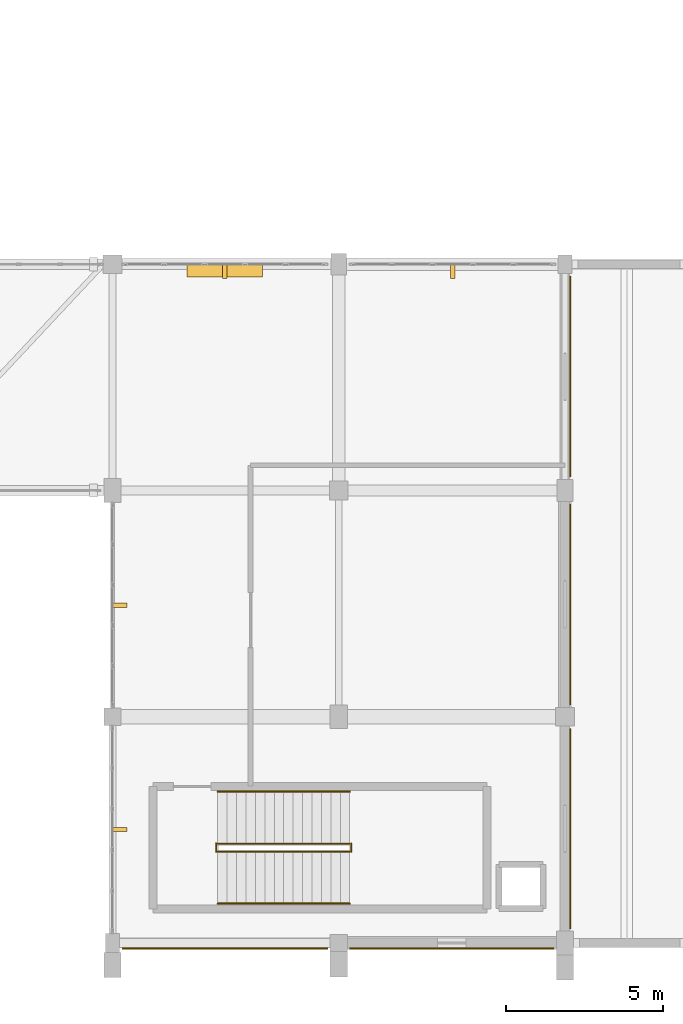
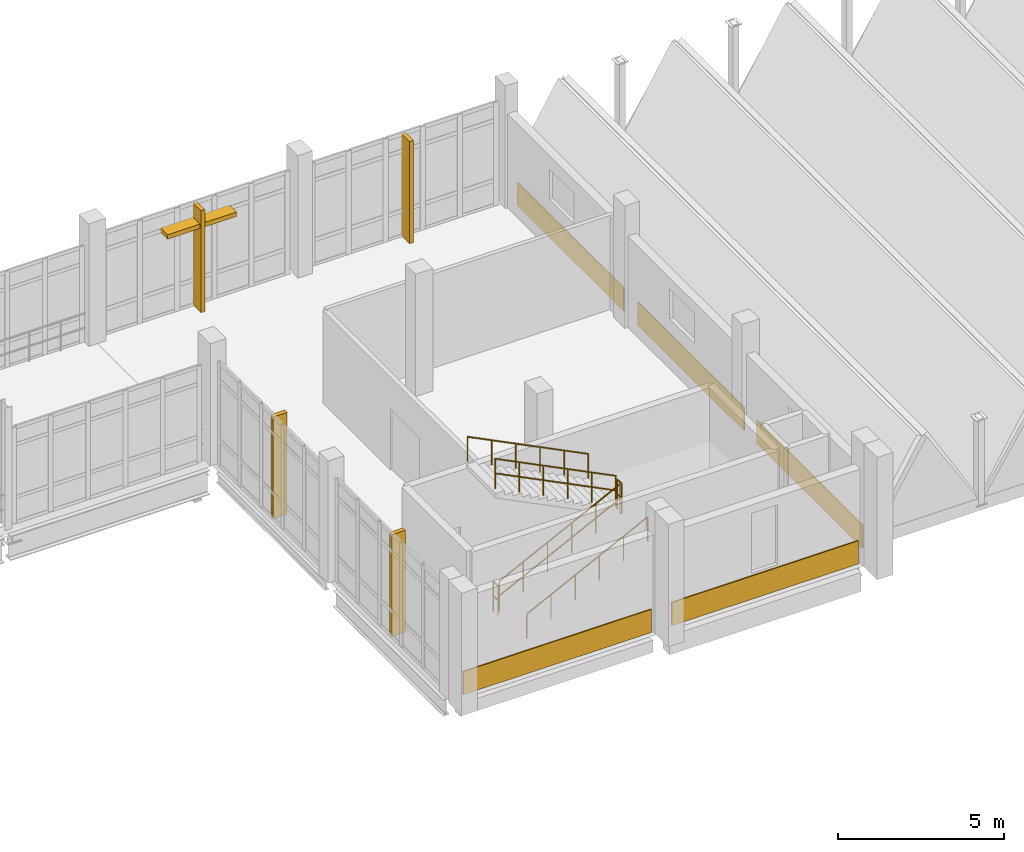
# One storey, part 118 of 124: 6 railings, 5 coverings, 5 shading devices.
"""IFC4 building model written with IfcOpenShell, lengths in metres."""

from ifc_helpers import new_model, si_unit, direction, frame, origin, origin_2d, place, context, subcontext, project, spatial, rectangle, circle, extrude, material, layer, layer_set, type_object, element, save


model = new_model("IFC4")

# Units and contexts
model_context = context("Model", 3, precision=1e-05, world=origin(), true_north=direction((0.0, 1.0)))
body_context = subcontext(model_context, "Body", "Model", "MODEL_VIEW")
ifc_project = project(units=[si_unit("LENGTHUNIT", "METRE"), si_unit("AREAUNIT", "SQUARE_METRE"), si_unit("VOLUMEUNIT", "CUBIC_METRE"), si_unit("PLANEANGLEUNIT", "RADIAN"), si_unit("MASSUNIT", "GRAM", prefix="KILO")], contexts=[model_context])

# Site, building, storey
site_placement = place(None, origin())
site = spatial("IfcSite", under=ifc_project, at=site_placement, CompositionType="ELEMENT")
building_placement = place(site_placement, origin())
building = spatial("IfcBuilding", under=site, at=building_placement, Name="Kalluvel Institute of Natural Sciences", CompositionType="ELEMENT")
storey_placement = place(building_placement, frame((0.0, 0.0, 9.89990234375)))
storey = spatial("IfcBuildingStorey", under=building, at=storey_placement, Name="L02", CompositionType="ELEMENT", Elevation=9.89990234375)

# Coverings
ifc_material_1 = material(Name="Sadarahalli Grey Granite Ashlar Concrete M40", Category="masonry")
ifc_layer = layer(ifc_material_1, 0.044921875)
ifc_layer_set = layer_set([ifc_layer], Name="Sadarahalli Grey Granite Ashlar Concrete M40")
covering_type = type_object("IfcCoveringType", Name="COV-CLAD-STONE", PredefinedType="CLADDING", material=ifc_layer_set)
covering_1_placement = place(storey_placement, frame((103.97509765625, 13.820068359375, 0.025146484375), z_axis=(0.0, 0.0, 1.0), x_axis=(1.0, 0.0, 0.0)))
element("IfcCovering", 1, at=covering_1_placement, inside=storey, type_object=covering_type, Name="L02 Sadarahalli granite plinth spandrel cladding 287", PredefinedType="CLADDING", context=body_context, shape_type="SweptSolid", body=[
    extrude(rectangle(XDim=6.5400390625, YDim=0.044921875, at=origin_2d()), origin(), (0.0, 0.0, 1.0), 0.85009765625),
])
covering_2_placement = place(storey_placement, frame((111.199951171875, 13.820068359375, 0.025146484375), z_axis=(0.0, 0.0, 1.0), x_axis=(1.0, 0.0, 0.0)))
element("IfcCovering", 2, at=covering_2_placement, inside=storey, type_object=covering_type, Name="L02 Sadarahalli granite plinth spandrel cladding 288", PredefinedType="CLADDING", context=body_context, shape_type="SweptSolid", body=[
    extrude(rectangle(XDim=6.489990234375, YDim=0.044921875, at=origin_2d()), origin(), (0.0, 0.0, 1.0), 0.85009765625),
])
covering_3_placement = place(storey_placement, frame((114.969970703125, 17.637451171875, 0.025146484375), z_axis=(0.0, 0.0, 1.0), x_axis=(0.0, 1.0, 0.0)))
element("IfcCovering", 3, at=covering_3_placement, inside=storey, type_object=covering_type, Name="L02 Sadarahalli granite plinth spandrel cladding 289", PredefinedType="CLADDING", context=body_context, shape_type="SweptSolid", body=[
    extrude(rectangle(XDim=6.364990234375, YDim=0.044921875, at=origin_2d()), origin(), (0.0, 0.0, 1.0), 0.85009765625),
])
for number, where, z_axis, x_axis, name in (
    (4, (114.969970703125, 24.77490234375, 0.025146484375), (0.0, 0.0, 1.0), (0.0, 1.0, 0.0), "L02 Sadarahalli granite plinth spandrel cladding 290"),
    (5, (114.969970703125, 32.02490234375, 0.025146484375), (0.0, 0.0, 1.0), (0.0, 1.0, 0.0), "L02 Sadarahalli granite plinth spandrel cladding 291"),
):
    element("IfcCovering", number, at=place(storey_placement, frame(where, z_axis=z_axis, x_axis=x_axis)), inside=storey, type_object=covering_type, Name=name, PredefinedType="CLADDING", context=body_context, shape_type="SweptSolid", body=[
        extrude(rectangle(XDim=6.389892578125, YDim=0.044921875, at=origin_2d()), origin(), (0.0, 0.0, 1.0), 0.85009765625),
    ])

# Railings
ifc_material_2 = material(Name="Galvanized Fire-Rated Steel", Category="steel")
railing_type_1 = type_object("IfcRailingType", Name="RL-GD-STAIR", PredefinedType="BALUSTRADE", material=ifc_material_2)
railing_1_placement = place(storey_placement, frame((103.75, 16.909912109375, 0.150146484375)))
element("IfcRailing", 6, at=railing_1_placement, inside=storey, type_object=railing_type_1, Name="L02 ST7 stair guard 1", PredefinedType="BALUSTRADE", context=body_context, shape_type="SweptSolid", body=[
    extrude(circle(Radius=0.02392578125, at=origin_2d()), frame((0.0, 0.0, 1.09619140625), z_axis=(0.894437589381, 0.0, 0.447192798132), x_axis=(0.0, 1.0, 0.0)), (0.0, 0.0, 1.0), 4.695556640625),
    extrude(circle(Radius=0.02392578125, at=origin_2d()), frame((0.0, 0.0, 0.56005859375), z_axis=(0.894437589381, 0.0, 0.447192798132), x_axis=(0.0, 1.0, 0.0)), (0.0, 0.0, 1.0), 4.695556640625),
    extrude(circle(Radius=0.02099609375, at=origin_2d()), origin(), (0.0, 0.0, 1.0), 1.072021484375),
    extrude(circle(Radius=0.02099609375, at=origin_2d()), frame((0.840087890625, 0.0, 0.419921875)), (0.0, 0.0, 1.0), 1.072021484375),
    extrude(circle(Radius=0.02099609375, at=origin_2d()), frame((1.679931640625, 0.0, 0.83984375)), (0.0, 0.0, 1.0), 1.072021484375),
    extrude(circle(Radius=0.02099609375, at=origin_2d()), frame((2.52001953125, 0.0, 1.260009765625)), (0.0, 0.0, 1.0), 1.072021484375),
    extrude(circle(Radius=0.02099609375, at=origin_2d()), frame((3.35986328125, 0.0, 1.679931640625)), (0.0, 0.0, 1.0), 1.072021484375),
    extrude(circle(Radius=0.02099609375, at=origin_2d()), frame((4.199951171875, 0.0, 2.099853515625)), (0.0, 0.0, 1.0), 1.072021484375),
])
railing_2_placement = place(storey_placement, frame((108.0, 16.89501953125, 2.25)))
element("IfcRailing", 7, at=railing_2_placement, inside=storey, type_object=railing_type_1, Name="L02 ST7 stair guard 2", PredefinedType="BALUSTRADE", context=body_context, shape_type="SweptSolid", body=[
    extrude(circle(Radius=0.02392578125, at=origin_2d()), frame((0.0, 0.0, 1.09619140625), z_axis=(0.0, 1.0, 0.0), x_axis=(-1.0, 0.0, 0.0)), (0.0, 0.0, 1.0), 0.280029296875),
    extrude(circle(Radius=0.02392578125, at=origin_2d()), frame((0.0, 0.0, 0.56005859375), z_axis=(0.0, 1.0, 0.0), x_axis=(-1.0, 0.0, 0.0)), (0.0, 0.0, 1.0), 0.280029296875),
    extrude(circle(Radius=0.02099609375, at=origin_2d()), origin(), (0.0, 0.0, 1.0), 1.072021484375),
    extrude(circle(Radius=0.02099609375, at=origin_2d()), frame((0.0, 0.280029296875, 0.0)), (0.0, 0.0, 1.0), 1.072021484375),
])
railing_3_placement = place(storey_placement, frame((107.949951171875, 17.159912109375, 2.400146484375)))
element("IfcRailing", 8, at=railing_3_placement, inside=storey, type_object=railing_type_1, Name="L02 ST7 stair guard 3", PredefinedType="BALUSTRADE", context=body_context, shape_type="SweptSolid", body=[
    extrude(circle(Radius=0.02392578125, at=origin_2d()), frame((0.0, 0.0, 1.09619140625), z_axis=(-0.894437589381, 0.0, 0.447192798132), x_axis=(0.0, -1.0, 0.0)), (0.0, 0.0, 1.0), 4.695556640625),
    extrude(circle(Radius=0.02392578125, at=origin_2d()), frame((0.0, 0.0, 0.56005859375), z_axis=(-0.894437589381, 0.0, 0.447192798132), x_axis=(0.0, -1.0, 0.0)), (0.0, 0.0, 1.0), 4.695556640625),
    extrude(circle(Radius=0.02099609375, at=origin_2d()), origin(), (0.0, 0.0, 1.0), 1.072021484375),
    extrude(circle(Radius=0.02099609375, at=origin_2d()), frame((-0.840087890625, 0.0, 0.419921875)), (0.0, 0.0, 1.0), 1.072021484375),
    extrude(circle(Radius=0.02099609375, at=origin_2d()), frame((-1.679931640625, 0.0, 0.83984375)), (0.0, 0.0, 1.0), 1.072021484375),
    extrude(circle(Radius=0.02099609375, at=origin_2d()), frame((-2.52001953125, 0.0, 1.260009765625)), (0.0, 0.0, 1.0), 1.072021484375),
    extrude(circle(Radius=0.02099609375, at=origin_2d()), frame((-3.35986328125, 0.0, 1.679931640625)), (0.0, 0.0, 1.0), 1.072021484375),
    extrude(circle(Radius=0.02099609375, at=origin_2d()), frame((-4.199951171875, 0.0, 2.099853515625)), (0.0, 0.0, 1.0), 1.072021484375),
])
railing_4_placement = place(storey_placement, frame((103.699951171875, 16.89501953125, 0.0)))
element("IfcRailing", 9, at=railing_4_placement, inside=storey, type_object=railing_type_1, Name="L02 ST7 stair guard 4", PredefinedType="BALUSTRADE", context=body_context, shape_type="SweptSolid", body=[
    extrude(circle(Radius=0.02392578125, at=origin_2d()), frame((0.0, 0.0, 1.09619140625), z_axis=(0.0, 1.0, 0.0), x_axis=(-1.0, 0.0, 0.0)), (0.0, 0.0, 1.0), 0.280029296875),
    extrude(circle(Radius=0.02392578125, at=origin_2d()), frame((0.0, 0.0, 0.56005859375), z_axis=(0.0, 1.0, 0.0), x_axis=(-1.0, 0.0, 0.0)), (0.0, 0.0, 1.0), 0.280029296875),
    extrude(circle(Radius=0.02099609375, at=origin_2d()), origin(), (0.0, 0.0, 1.0), 1.072021484375),
    extrude(circle(Radius=0.02099609375, at=origin_2d()), frame((0.0, 0.280029296875, 0.0)), (0.0, 0.0, 1.0), 1.072021484375),
])
railing_type_2 = type_object("IfcRailingType", Name="RL-HR-STAIR", PredefinedType="HANDRAIL", material=ifc_material_2)
railing_5_placement = place(storey_placement, frame((103.75, 15.25, 0.150146484375)))
element("IfcRailing", 10, at=railing_5_placement, inside=storey, type_object=railing_type_2, Name="L02 ST7 stair handrail 1", PredefinedType="HANDRAIL", context=body_context, shape_type="SweptSolid", body=[
    extrude(circle(Radius=0.02392578125, at=origin_2d()), frame((0.0, 0.0, 0.89599609375), z_axis=(0.894437589381, 0.0, 0.447192798132), x_axis=(0.0, 1.0, 0.0)), (0.0, 0.0, 1.0), 4.695556640625),
    extrude(circle(Radius=0.02099609375, at=origin_2d()), origin(), (0.0, 0.0, 1.0), 0.871826171875),
    extrude(circle(Radius=0.02099609375, at=origin_2d()), frame((0.840087890625, 0.0, 0.419921875)), (0.0, 0.0, 1.0), 0.871826171875),
    extrude(circle(Radius=0.02099609375, at=origin_2d()), frame((1.679931640625, 0.0, 0.83984375)), (0.0, 0.0, 1.0), 0.871826171875),
    extrude(circle(Radius=0.02099609375, at=origin_2d()), frame((2.52001953125, 0.0, 1.260009765625)), (0.0, 0.0, 1.0), 0.871826171875),
    extrude(circle(Radius=0.02099609375, at=origin_2d()), frame((3.35986328125, 0.0, 1.679931640625)), (0.0, 0.0, 1.0), 0.871826171875),
    extrude(circle(Radius=0.02099609375, at=origin_2d()), frame((4.199951171875, 0.0, 2.099853515625)), (0.0, 0.0, 1.0), 0.871826171875),
])
railing_6_placement = place(storey_placement, frame((107.949951171875, 18.820068359375, 2.400146484375)))
element("IfcRailing", 11, at=railing_6_placement, inside=storey, type_object=railing_type_2, Name="L02 ST7 stair handrail 2", PredefinedType="HANDRAIL", context=body_context, shape_type="SweptSolid", body=[
    extrude(circle(Radius=0.02392578125, at=origin_2d()), frame((0.0, 0.0, 0.89599609375), z_axis=(-0.894437589381, 0.0, 0.447192798132), x_axis=(0.0, -1.0, 0.0)), (0.0, 0.0, 1.0), 4.695556640625),
    extrude(circle(Radius=0.02099609375, at=origin_2d()), origin(), (0.0, 0.0, 1.0), 0.871826171875),
    extrude(circle(Radius=0.02099609375, at=origin_2d()), frame((-0.840087890625, 0.0, 0.419921875)), (0.0, 0.0, 1.0), 0.871826171875),
    extrude(circle(Radius=0.02099609375, at=origin_2d()), frame((-1.679931640625, 0.0, 0.83984375)), (0.0, 0.0, 1.0), 0.871826171875),
    extrude(circle(Radius=0.02099609375, at=origin_2d()), frame((-2.52001953125, 0.0, 1.260009765625)), (0.0, 0.0, 1.0), 0.871826171875),
    extrude(circle(Radius=0.02099609375, at=origin_2d()), frame((-3.35986328125, 0.0, 1.679931640625)), (0.0, 0.0, 1.0), 0.871826171875),
    extrude(circle(Radius=0.02099609375, at=origin_2d()), frame((-4.199951171875, 0.0, 2.099853515625)), (0.0, 0.0, 1.0), 0.871826171875),
])

# Shading devices
shading_device_type_1 = type_object("IfcShadingDeviceType", Name="SHD-FIN-STONE", PredefinedType="USERDEFINED", material=ifc_material_1)
for number, where, z_axis, x_axis, name in (
    (12, (103.97509765625, 35.3798828125, 0.0), (0.0, 0.0, 1.0), (1.0, 0.0, 0.0), "L02 monsoon lancet shading fin 231"),
    (13, (111.22509765625, 35.3798828125, 0.0), (0.0, 0.0, 1.0), (1.0, 0.0, 0.0), "L02 monsoon lancet shading fin 233"),
    (14, (100.6201171875, 17.612548828125, 0.0), (0.0, 0.0, 1.0), (0.0, 1.0, 0.0), "L02 monsoon lancet shading fin 234"),
    (15, (100.6201171875, 24.75, 0.0), (0.0, 0.0, 1.0), (0.0, 1.0, 0.0), "L02 monsoon lancet shading fin 235"),
):
    element("IfcShadingDevice", number, at=place(storey_placement, frame(where, z_axis=z_axis, x_axis=x_axis)), inside=storey, type_object=shading_device_type_1, Name=name, ObjectType="MONSOON FIN", PredefinedType="USERDEFINED", context=body_context, shape_type="SweptSolid", body=[
        extrude(rectangle(XDim=0.139892578125, YDim=0.47998046875, at=origin_2d()), origin(), (0.0, 0.0, 1.0), 3.75),
    ])
ifc_material_3 = material(Name="Aluminium AW-6063 T6", Category="aluminium")
shading_device_type_2 = type_object("IfcShadingDeviceType", Name="SHD-LOUV-ALU", PredefinedType="JALOUSIE", material=ifc_material_3)
shading_device_placement = place(storey_placement, frame((103.97509765625, 35.39990234375, 3.0703125), z_axis=(0.0, 0.0, 1.0), x_axis=(1.0, 0.0, 0.0)))
element("IfcShadingDevice", 16, at=shading_device_placement, inside=storey, type_object=shading_device_type_2, Name="L02 aluminium sun-shading louvre 232", PredefinedType="JALOUSIE", context=body_context, shape_type="SweptSolid", body=[
    extrude(rectangle(XDim=2.39990234375, YDim=0.419921875, at=origin_2d()), origin(), (0.0, 0.0, 1.0), 0.159912109375),
])

save(model, "model.ifc")
